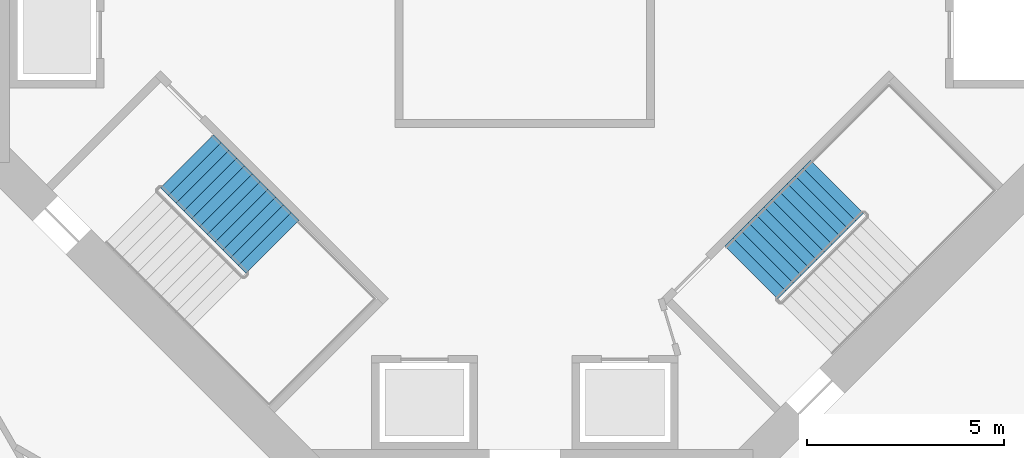
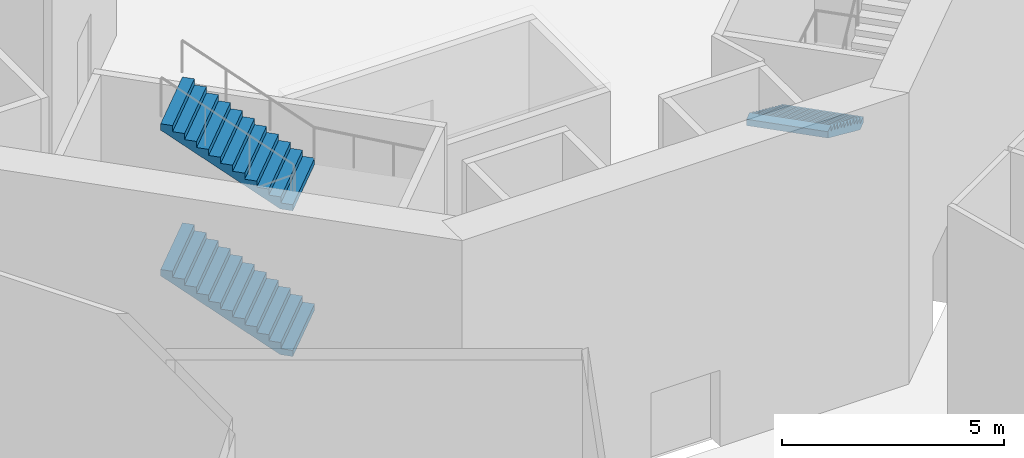
# One storey, part 15 of 30: 3 stair flights, 2 elements without a shape of their own.
"""IFC4 building model written with IfcOpenShell, lengths in metres."""

import ifcopenshell
import ifcopenshell.guid

model = None  # the IFC model being written
_history = None  # IfcOwnerHistory: only IFC2X3 demands one
_inside = {}  # id of a spatial element -> (the spatial element, [elements in it])
_under = {}  # id of a project, library or spatial element -> (it, [spatial elements below it])
_declared = {}  # id of a project -> (the project, [libraries it declares])
_typed = {}  # id of a type object -> (the type object, [elements of that type])
_made_of = {}  # id of a material, layer set ... -> (it, [elements and type objects made of it])


def new_model(schema):
    """Start an empty IFC model of exactly this schema.

    Asked for "IFC4X3", IfcOpenShell would pick the latest addendum, in which some entities
    have other attributes; the version numbers below select the first issue.
    IFC2X3 requires an IfcOwnerHistory on every rooted entity: one is made here for all.
    """
    global model, _history
    if schema == "IFC4X3":
        model = ifcopenshell.file(schema_version=(4, 3, 0, 0))
    else:
        model = ifcopenshell.file(schema=schema)
    _inside.clear()
    _under.clear()
    _declared.clear()
    _typed.clear()
    _made_of.clear()
    _history = None
    if model.schema == "IFC2X3":
        org = make("IfcOrganization", Name="unknown")
        user = make(
            "IfcPersonAndOrganization",
            ThePerson=make("IfcPerson", FamilyName="unknown"),
            TheOrganization=org,
        )
        app = make(
            "IfcApplication",
            ApplicationDeveloper=org,
            Version="unknown",
            ApplicationFullName="unknown",
            ApplicationIdentifier="unknown",
        )
        _history = make(
            "IfcOwnerHistory",
            OwningUser=user,
            OwningApplication=app,
            ChangeAction="ADDED",
            CreationDate=0,
        )
    return model


def make(cls, **values):
    """One entity of the class cls with the attributes given. An attribute that is None is left unset."""
    return model.create_entity(
        cls, **{name: value for name, value in values.items() if value is not None}
    )


def rooted(cls, **values):
    """An entity with a GlobalId (a new one), such as an element, a storey or a relation."""
    return make(cls, GlobalId=ifcopenshell.guid.new(), OwnerHistory=_history, **values)


def si_unit(unit_type, name, prefix=None):
    """IfcSIUnit, for example si_unit("LENGTHUNIT", "METRE", prefix="MILLI")."""
    return make("IfcSIUnit", UnitType=unit_type, Prefix=prefix, Name=name)


def assignment(units):
    """IfcUnitAssignment: the units of a project."""
    return None if units is None else make("IfcUnitAssignment", Units=units)


def point(xyz):
    """IfcCartesianPoint."""
    return None if xyz is None else make("IfcCartesianPoint", Coordinates=xyz)


def direction(xyz):
    """IfcDirection."""
    return None if xyz is None else make("IfcDirection", DirectionRatios=xyz)


def frame(location, z_axis=None, x_axis=None):
    """IfcAxis2Placement3D, a coordinate frame: its origin and axes. An axis left out is left unset."""
    return make(
        "IfcAxis2Placement3D",
        Location=point(location),
        Axis=direction(z_axis),
        RefDirection=direction(x_axis),
    )


def origin():
    """The frame at (0, 0, 0) with its axes left unset."""
    return frame((0.0, 0.0, 0.0))


def place(relative_to, where):
    """IfcLocalPlacement: puts the frame where relative to a parent placement (None: the world)."""
    return make(
        "IfcLocalPlacement", PlacementRelTo=relative_to, RelativePlacement=where
    )


def context(
    kind, dimensions, precision=None, world=None, true_north=None, identifier=None
):
    """IfcGeometricRepresentationContext, for example the 3D "Model" context."""
    return make(
        "IfcGeometricRepresentationContext",
        ContextIdentifier=identifier,
        ContextType=kind,
        CoordinateSpaceDimension=dimensions,
        Precision=precision,
        WorldCoordinateSystem=world,
        TrueNorth=true_north,
    )


def subcontext(parent, identifier, kind, view, scale=None):
    """IfcGeometricRepresentationSubContext, for example "Body" below "Model"."""
    return make(
        "IfcGeometricRepresentationSubContext",
        ContextIdentifier=identifier,
        ContextType=kind,
        ParentContext=parent,
        TargetScale=scale,
        TargetView=view,
    )


def project(units=None, contexts=None):
    """IfcProject with its units and contexts."""
    return rooted(
        "IfcProject",
        Name="project",
        RepresentationContexts=contexts,
        UnitsInContext=assignment(units),
    )


def spatial(cls, under=None, at=None, **own):
    """A site, building, storey or space (cls), placed at a placement, below another one or the project."""
    s = rooted(cls, ObjectPlacement=at, **own)
    if under is not None:
        _under.setdefault(under.id(), (under, []))[1].append(s)
    return s


def point_list(points):
    """IfcCartesianPointList2D or 3D."""
    cls = (
        "IfcCartesianPointList2D" if len(points[0]) == 2 else "IfcCartesianPointList3D"
    )
    return make(cls, CoordList=points)


def triangles(points, corners, closed=None, point_numbers=None):
    """IfcTriangulatedFaceSet: each triangle names its three corners, points numbered from 1."""
    return make(
        "IfcTriangulatedFaceSet",
        Coordinates=point_list(points),
        Closed=closed,
        CoordIndex=corners,
        PnIndex=point_numbers,
    )


def shape(context_of_items, identifier, shape_type, items):
    """IfcShapeRepresentation: the items that make up one representation, for example the "Body"."""
    return make(
        "IfcShapeRepresentation",
        ContextOfItems=context_of_items,
        RepresentationIdentifier=identifier,
        RepresentationType=shape_type,
        Items=items,
    )


def material(Name=None, Category=None):
    """IfcMaterial."""
    return make("IfcMaterial", Name=Name, Category=Category)


def made_of(thing, what):
    """Note that an element or type object is made of a material, layer set ...; save() writes the relation."""
    if what is not None:
        _made_of.setdefault(what.id(), (what, []))[1].append(thing)
    return thing


def type_object(cls, material=None, **own):
    """A type object (cls), such as IfcWallType, which elements share."""
    return made_of(rooted(cls, **own), material)


def element(
    cls,
    number,
    at=None,
    inside=None,
    cuts=None,
    type_object=None,
    material=None,
    context=None,
    identifier="Body",
    shape_type=None,
    held_by="IfcProductDefinitionShape",
    body=None,
    shapes=None,
    **own,
):
    """One element of the class cls, such as IfcWall. Its Tag is "e" and its number.

    at: its placement. inside: the storey or other place that contains it. cuts: it is an
    opening in that element (IfcRelVoidsElement). A single representation is given by context,
    identifier, shape_type and body (its items); several are given by shapes. held_by: the class
    of the entity that holds the representations. save() writes the other relations.
    """
    e = rooted(cls, Tag="e%d" % number, ObjectPlacement=at, **own)
    if body is not None:
        shapes = [shape(context, identifier, shape_type, body)]
    if shapes is not None:
        e.Representation = make(held_by, Representations=shapes)
    if inside is not None:
        _inside.setdefault(inside.id(), (inside, []))[1].append(e)
    if cuts is not None:
        rooted(
            "IfcRelVoidsElement", RelatingBuildingElement=cuts, RelatedOpeningElement=e
        )
    if type_object is not None:
        _typed.setdefault(type_object.id(), (type_object, []))[1].append(e)
    return made_of(e, material)


def aggregate(whole, parts):
    """IfcRelAggregates: a whole, such as a stair, and the parts it consists of."""
    return rooted("IfcRelAggregates", RelatingObject=whole, RelatedObjects=parts)


def save(model, path):
    """Write the relations noted so far, then the file.

    IfcRelAggregates (storeys below a building ...), IfcRelContainedInSpatialStructure (elements
    in a storey), IfcRelDefinesByType, IfcRelAssociatesMaterial and IfcRelDeclares: one each for
    every whole, place, type object, material and project.
    """
    for whole, parts in _under.values():
        aggregate(whole, parts)
    for where, things in _inside.values():
        rooted(
            "IfcRelContainedInSpatialStructure",
            RelatedElements=things,
            RelatingStructure=where,
        )
    for kind, things in _typed.values():
        rooted("IfcRelDefinesByType", RelatedObjects=things, RelatingType=kind)
    for what, things in _made_of.values():
        rooted("IfcRelAssociatesMaterial", RelatedObjects=things, RelatingMaterial=what)
    for by, libraries in _declared.values():
        rooted("IfcRelDeclares", RelatingContext=by, RelatedDefinitions=libraries)
    model.write(path)


model = new_model("IFC4")

# Units and contexts
model_context = context("Model", 3, precision=1e-05, world=origin(), true_north=direction((0.0, 1.0)))
body_context = subcontext(model_context, "Body", "Model", "MODEL_VIEW")
ifc_project = project(units=[si_unit("LENGTHUNIT", "METRE"), si_unit("AREAUNIT", "SQUARE_METRE"), si_unit("VOLUMEUNIT", "CUBIC_METRE"), si_unit("PLANEANGLEUNIT", "RADIAN"), si_unit("MASSUNIT", "GRAM", prefix="KILO")], contexts=[model_context])

# Site, building, storey
site_placement = place(None, origin())
site = spatial("IfcSite", under=ifc_project, at=site_placement, CompositionType="ELEMENT")
building_placement = place(site_placement, origin())
building = spatial("IfcBuilding", under=site, at=building_placement, Name="Verdalira Terraces Hotel", CompositionType="ELEMENT")
storey_placement = place(building_placement, origin())
storey = spatial("IfcBuildingStorey", under=building, at=storey_placement, Name="L00", CompositionType="ELEMENT", Elevation=0.0)

# Stair, stair flights
ifc_material_1 = material(Name="Concrete C40", Category="concrete")
stair_type = type_object("IfcStairType", Name="Core stair 48 risers 1900 mm wide", PredefinedType="HALF_TURN_STAIR", material=ifc_material_1)
stair_1_placement = place(storey_placement, origin())
stair_1 = element("IfcStair", 1, at=stair_1_placement, inside=storey, type_object=stair_type, Name="L00 Exit stair ST2", PredefinedType="HALF_TURN_STAIR")
ifc_material_2 = material(Name="Concrete C40", Category="concrete")
stair_flight_type = type_object("IfcStairFlightType", Name="Core stair flight 48 risers 1900 mm wide", PredefinedType="STRAIGHT", material=ifc_material_2)
stair_flight_1_placement = place(storey_placement, frame((-6.413574, -7.940918, 2.0), z_axis=(0.0, 0.0, 1.0), x_axis=(-0.707106781, 0.707106781, 0.0)))
stair_flight_1 = element("IfcStairFlight", 2, at=stair_flight_1_placement, type_object=stair_flight_type, Name="ST2 flight 2", NumberOfRisers=12, NumberOfTreads=11, PredefinedType="STRAIGHT", RiserHeight=0.166666667, TreadLength=0.28, context=body_context, shape_type="Tessellation", body=[
    triangles([(0.0, 0.949951, 0.0), (0.292969, 0.949951, 0.0), (3.080078, 0.949951, 1.658936), (0.0, -0.949951, 0.0), (0.292969, -0.949951, 0.0), (3.080078, -0.949951, 1.658936), (3.080078, 0.949951, 1.833252), (2.800049, 0.949951, 1.833252), (3.080078, -0.949951, 1.833252), (2.800049, -0.949951, 1.833252), (2.800049, 0.949951, 1.666748), (2.800049, -0.949951, 1.666748), (2.52002, 0.949951, 1.666748), (2.52002, -0.949951, 1.666748), (2.52002, 0.949951, 1.5), (2.52002, -0.949951, 1.5), (2.23999, 0.949951, 1.5), (2.23999, 0.949951, 1.333252), (2.23999, -0.949951, 1.5), (2.23999, -0.949951, 1.333252), (1.959961, 0.949951, 1.333252), (1.959961, 0.949951, 1.166748), (1.959961, -0.949951, 1.333252), (1.959961, -0.949951, 1.166748), (1.679932, 0.949951, 1.166748), (1.679932, 0.949951, 1.0), (1.679932, -0.949951, 1.166748), (1.679932, -0.949951, 1.0), (1.399902, 0.949951, 1.0), (1.399902, 0.949951, 0.833252), (1.399902, -0.949951, 1.0), (1.399902, -0.949951, 0.833252), (1.120117, 0.949951, 0.833252), (1.120117, 0.949951, 0.666748), (1.120117, -0.949951, 0.833252), (1.120117, -0.949951, 0.666748), (0.840088, 0.949951, 0.666748), (0.840088, 0.949951, 0.5), (0.840088, -0.949951, 0.666748), (0.840088, -0.949951, 0.5), (0.560059, 0.949951, 0.5), (0.560059, 0.949951, 0.333252), (0.560059, -0.949951, 0.5), (0.560059, -0.949951, 0.333252), (0.280029, 0.949951, 0.333252), (0.280029, 0.949951, 0.166748), (0.280029, -0.949951, 0.333252), (0.280029, -0.949951, 0.166748), (0.0, 0.949951, 0.166748), (0.0, -0.949951, 0.166748), (0.0, -0.890579, 0.0), (0.0, -0.890579, 0.166748), (0.0, -0.831207, 0.0), (0.0, -0.831207, 0.166748), (0.0, -0.771835, 0.0), (0.0, -0.771835, 0.166748), (0.0, -0.712463, 0.0), (0.0, -0.712463, 0.166748), (0.0, -0.653091, 0.0), (0.0, -0.653091, 0.166748), (0.0, -0.593719, 0.0), (0.0, -0.593719, 0.166748), (0.0, -0.534348, 0.0), (0.0, -0.534348, 0.166748), (0.0, -0.474976, 0.0), (0.0, -0.474976, 0.166748), (0.0, -0.415604, 0.0), (0.0, -0.415604, 0.166748), (0.0, -0.356232, 0.0), (0.0, -0.356232, 0.166748), (0.0, -0.29686, 0.0), (0.0, -0.29686, 0.166748), (0.0, -0.237488, 0.0), (0.0, -0.237488, 0.166748), (0.0, -0.178116, 0.0), (0.0, -0.178116, 0.166748), (0.0, -0.118744, 0.0), (0.0, -0.118744, 0.166748), (0.0, -0.059372, 0.0), (0.0, -0.059372, 0.166748), (0.0, 0.0, 0.0), (0.0, 0.0, 0.166748), (0.0, 0.059372, 0.0), (0.0, 0.059372, 0.166748), (0.0, 0.118744, 0.0), (0.0, 0.118744, 0.166748), (0.0, 0.178116, 0.0), (0.0, 0.178116, 0.166748), (0.0, 0.237488, 0.0), (0.0, 0.237488, 0.166748), (0.0, 0.29686, 0.0), (0.0, 0.29686, 0.166748), (0.0, 0.356232, 0.0), (0.0, 0.356232, 0.166748), (0.0, 0.415604, 0.0), (0.0, 0.415604, 0.166748), (0.0, 0.474976, 0.0), (0.0, 0.474976, 0.166748), (0.0, 0.534348, 0.0), (0.0, 0.534348, 0.166748), (0.0, 0.593719, 0.0), (0.0, 0.593719, 0.166748), (0.0, 0.653091, 0.0), (0.0, 0.653091, 0.166748), (0.0, 0.712463, 0.0), (0.0, 0.712463, 0.166748), (0.0, 0.771835, 0.0), (0.0, 0.771835, 0.166748), (0.0, 0.831207, 0.0), (0.0, 0.831207, 0.166748), (0.0, 0.890579, 0.0), (0.0, 0.890579, 0.166748), (3.080078, -0.890579, 1.833252), (3.080078, -0.831207, 1.833252), (3.080078, -0.771835, 1.833252), (3.080078, -0.712463, 1.833252), (3.080078, -0.653091, 1.833252), (3.080078, -0.593719, 1.833252), (3.080078, -0.534348, 1.833252), (3.080078, -0.474976, 1.833252), (3.080078, -0.415604, 1.833252), (3.080078, -0.356232, 1.833252), (3.080078, -0.29686, 1.833252), (3.080078, -0.237488, 1.833252), (3.080078, -0.178116, 1.833252), (3.080078, -0.118744, 1.833252), (3.080078, -0.059372, 1.833252), (3.080078, 0.0, 1.833252), (3.080078, 0.059372, 1.833252), (3.080078, 0.118744, 1.833252), (3.080078, 0.178116, 1.833252), (3.080078, 0.237488, 1.833252), (3.080078, 0.29686, 1.833252), (3.080078, 0.356232, 1.833252), (3.080078, 0.415604, 1.833252), (3.080078, 0.474976, 1.833252), (3.080078, 0.534348, 1.833252), (3.080078, 0.593719, 1.833252), (3.080078, 0.653091, 1.833252), (3.080078, 0.712463, 1.833252), (3.080078, 0.771835, 1.833252), (3.080078, 0.831207, 1.833252), (3.080078, 0.890579, 1.833252), (3.080078, -0.890579, 1.658936), (3.080078, -0.831207, 1.658936), (3.080078, -0.771835, 1.658936), (3.080078, -0.712463, 1.658936), (3.080078, -0.653091, 1.658936), (3.080078, -0.593719, 1.658936), (3.080078, -0.534348, 1.658936), (3.080078, -0.474976, 1.658936), (3.080078, -0.415604, 1.658936), (3.080078, -0.356232, 1.658936), (3.080078, -0.29686, 1.658936), (3.080078, -0.237488, 1.658936), (3.080078, -0.178116, 1.658936), (3.080078, -0.118744, 1.658936), (3.080078, -0.059372, 1.658936), (3.080078, 0.0, 1.658936), (3.080078, 0.059372, 1.658936), (3.080078, 0.118744, 1.658936), (3.080078, 0.178116, 1.658936), (3.080078, 0.237488, 1.658936), (3.080078, 0.29686, 1.658936), (3.080078, 0.356232, 1.658936), (3.080078, 0.415604, 1.658936), (3.080078, 0.474976, 1.658936), (3.080078, 0.534348, 1.658936), (3.080078, 0.593719, 1.658936), (3.080078, 0.653091, 1.658936), (3.080078, 0.712463, 1.658936), (3.080078, 0.771835, 1.658936), (3.080078, 0.831207, 1.658936), (3.080078, 0.890579, 1.658936)], [[1, 3, 2], [4, 5, 6], [3, 8, 7], [6, 9, 10], [3, 11, 8], [6, 10, 12], [3, 13, 11], [6, 12, 14], [3, 15, 13], [6, 14, 16], [15, 18, 17], [16, 19, 20], [3, 18, 15], [6, 16, 20], [18, 22, 21], [20, 23, 24], [3, 22, 18], [6, 20, 24], [22, 26, 25], [24, 27, 28], [3, 26, 22], [6, 24, 28], [26, 30, 29], [28, 31, 32], [3, 30, 26], [6, 28, 32], [30, 34, 33], [32, 35, 36], [3, 34, 30], [6, 32, 36], [34, 38, 37], [36, 39, 40], [3, 38, 34], [6, 36, 40], [38, 42, 41], [40, 43, 44], [3, 42, 38], [6, 40, 44], [1, 42, 3], [4, 6, 44], [42, 46, 45], [44, 47, 48], [1, 46, 42], [4, 44, 48], [46, 1, 49], [48, 50, 4], [4, 52, 51], [4, 50, 52], [51, 54, 53], [51, 52, 54], [53, 56, 55], [53, 54, 56], [55, 58, 57], [55, 56, 58], [57, 60, 59], [57, 58, 60], [59, 62, 61], [59, 60, 62], [61, 64, 63], [61, 62, 64], [63, 66, 65], [63, 64, 66], [65, 68, 67], [65, 66, 68], [67, 70, 69], [67, 68, 70], [69, 72, 71], [69, 70, 72], [71, 74, 73], [71, 72, 74], [73, 76, 75], [73, 74, 76], [75, 78, 77], [75, 76, 78], [77, 80, 79], [77, 78, 80], [79, 82, 81], [79, 80, 82], [81, 84, 83], [81, 82, 84], [83, 86, 85], [83, 84, 86], [85, 88, 87], [85, 86, 88], [87, 90, 89], [87, 88, 90], [89, 92, 91], [89, 90, 92], [91, 94, 93], [91, 92, 94], [93, 96, 95], [93, 94, 96], [95, 98, 97], [95, 96, 98], [97, 100, 99], [97, 98, 100], [99, 102, 101], [99, 100, 102], [101, 104, 103], [101, 102, 104], [103, 106, 105], [103, 104, 106], [105, 108, 107], [105, 106, 108], [107, 110, 109], [107, 108, 110], [109, 112, 111], [109, 110, 112], [111, 49, 1], [111, 112, 49], [50, 48, 52], [52, 48, 54], [54, 48, 56], [56, 48, 58], [58, 48, 60], [60, 48, 62], [62, 48, 64], [64, 48, 66], [66, 48, 68], [68, 48, 70], [70, 48, 72], [72, 48, 74], [74, 48, 76], [76, 48, 78], [78, 48, 80], [80, 48, 82], [82, 48, 84], [84, 48, 86], [86, 48, 88], [88, 48, 90], [90, 48, 92], [92, 48, 94], [94, 48, 96], [96, 48, 98], [98, 48, 100], [100, 48, 102], [102, 48, 104], [104, 48, 106], [106, 48, 108], [108, 48, 110], [110, 48, 112], [112, 48, 49], [49, 48, 46], [48, 45, 46], [48, 47, 45], [47, 42, 45], [47, 44, 42], [44, 41, 42], [44, 43, 41], [43, 38, 41], [43, 40, 38], [40, 37, 38], [40, 39, 37], [39, 34, 37], [39, 36, 34], [36, 33, 34], [36, 35, 33], [35, 30, 33], [35, 32, 30], [32, 29, 30], [32, 31, 29], [31, 26, 29], [31, 28, 26], [28, 25, 26], [28, 27, 25], [27, 22, 25], [27, 24, 22], [24, 21, 22], [24, 23, 21], [23, 18, 21], [23, 20, 18], [20, 17, 18], [20, 19, 17], [19, 15, 17], [19, 16, 15], [16, 13, 15], [16, 14, 13], [14, 11, 13], [14, 12, 11], [12, 8, 11], [12, 10, 8], [9, 113, 10], [113, 114, 10], [114, 115, 10], [115, 116, 10], [116, 117, 10], [117, 118, 10], [118, 119, 10], [119, 120, 10], [120, 121, 10], [121, 122, 10], [122, 123, 10], [123, 124, 10], [124, 125, 10], [125, 126, 10], [126, 127, 10], [127, 128, 10], [128, 129, 10], [129, 130, 10], [130, 131, 10], [131, 132, 10], [132, 133, 10], [133, 134, 10], [134, 135, 10], [135, 136, 10], [136, 137, 10], [137, 138, 10], [138, 139, 10], [139, 140, 10], [140, 141, 10], [141, 142, 10], [142, 143, 10], [143, 7, 10], [7, 8, 10], [9, 144, 113], [9, 6, 144], [113, 145, 114], [113, 144, 145], [114, 146, 115], [114, 145, 146], [115, 147, 116], [115, 146, 147], [116, 148, 117], [116, 147, 148], [117, 149, 118], [117, 148, 149], [118, 150, 119], [118, 149, 150], [119, 151, 120], [119, 150, 151], [120, 152, 121], [120, 151, 152], [121, 153, 122], [121, 152, 153], [122, 154, 123], [122, 153, 154], [123, 155, 124], [123, 154, 155], [124, 156, 125], [124, 155, 156], [125, 157, 126], [125, 156, 157], [126, 158, 127], [126, 157, 158], [127, 159, 128], [127, 158, 159], [128, 160, 129], [128, 159, 160], [129, 161, 130], [129, 160, 161], [130, 162, 131], [130, 161, 162], [131, 163, 132], [131, 162, 163], [132, 164, 133], [132, 163, 164], [133, 165, 134], [133, 164, 165], [134, 166, 135], [134, 165, 166], [135, 167, 136], [135, 166, 167], [136, 168, 137], [136, 167, 168], [137, 169, 138], [137, 168, 169], [138, 170, 139], [138, 169, 170], [139, 171, 140], [139, 170, 171], [140, 172, 141], [140, 171, 172], [141, 173, 142], [141, 172, 173], [142, 174, 143], [142, 173, 174], [143, 3, 7], [143, 174, 3], [6, 5, 144], [144, 5, 145], [145, 5, 146], [146, 5, 147], [147, 5, 148], [148, 5, 149], [149, 5, 150], [150, 5, 151], [151, 5, 152], [152, 5, 153], [153, 5, 154], [154, 5, 155], [155, 5, 156], [156, 5, 157], [157, 5, 158], [158, 5, 159], [159, 5, 160], [160, 5, 161], [161, 5, 162], [162, 5, 163], [163, 5, 164], [164, 5, 165], [165, 5, 166], [166, 5, 167], [167, 5, 168], [168, 5, 169], [169, 5, 170], [170, 5, 171], [171, 5, 172], [172, 5, 173], [173, 5, 174], [174, 5, 3], [3, 5, 2], [4, 51, 5], [51, 53, 5], [53, 55, 5], [55, 57, 5], [57, 59, 5], [59, 61, 5], [61, 63, 5], [63, 65, 5], [65, 67, 5], [67, 69, 5], [69, 71, 5], [71, 73, 5], [73, 75, 5], [75, 77, 5], [77, 79, 5], [79, 81, 5], [81, 83, 5], [83, 85, 5], [85, 87, 5], [87, 89, 5], [89, 91, 5], [91, 93, 5], [93, 95, 5], [95, 97, 5], [97, 99, 5], [99, 101, 5], [101, 103, 5], [103, 105, 5], [105, 107, 5], [107, 109, 5], [109, 111, 5], [111, 1, 5], [1, 2, 5]], closed=True),
])
stair_flight_2_placement = place(storey_placement, frame((-6.413574, -7.940918, 6.0), z_axis=(0.0, 0.0, 1.0), x_axis=(-0.707106781, 0.707106781, 0.0)))
stair_flight_2 = element("IfcStairFlight", 3, at=stair_flight_2_placement, type_object=stair_flight_type, Name="ST2 flight 4", NumberOfRisers=12, NumberOfTreads=11, PredefinedType="STRAIGHT", RiserHeight=0.166666667, TreadLength=0.28, context=body_context, shape_type="Tessellation", body=[
    triangles([(0.0, 0.949951, 0.0), (0.292969, 0.949951, 0.0), (3.080078, 0.949951, 1.658936), (0.0, -0.949951, 0.0), (0.292969, -0.949951, 0.0), (3.080078, -0.949951, 1.658936), (3.080078, 0.949951, 1.833252), (2.800049, 0.949951, 1.833252), (3.080078, -0.949951, 1.833252), (2.800049, -0.949951, 1.833252), (2.800049, 0.949951, 1.666748), (2.800049, -0.949951, 1.666748), (2.52002, 0.949951, 1.666748), (2.52002, -0.949951, 1.666748), (2.52002, 0.949951, 1.5), (2.52002, -0.949951, 1.5), (2.23999, 0.949951, 1.5), (2.23999, 0.949951, 1.333252), (2.23999, -0.949951, 1.5), (2.23999, -0.949951, 1.333252), (1.959961, 0.949951, 1.333252), (1.959961, 0.949951, 1.166748), (1.959961, -0.949951, 1.333252), (1.959961, -0.949951, 1.166748), (1.679932, 0.949951, 1.166748), (1.679932, 0.949951, 1.0), (1.679932, -0.949951, 1.166748), (1.679932, -0.949951, 1.0), (1.399902, 0.949951, 1.0), (1.399902, 0.949951, 0.833252), (1.399902, -0.949951, 1.0), (1.399902, -0.949951, 0.833252), (1.120117, 0.949951, 0.833252), (1.120117, 0.949951, 0.666748), (1.120117, -0.949951, 0.833252), (1.120117, -0.949951, 0.666748), (0.840088, 0.949951, 0.666748), (0.840088, 0.949951, 0.5), (0.840088, -0.949951, 0.666748), (0.840088, -0.949951, 0.5), (0.560059, 0.949951, 0.5), (0.560059, 0.949951, 0.333252), (0.560059, -0.949951, 0.5), (0.560059, -0.949951, 0.333252), (0.280029, 0.949951, 0.333252), (0.280029, 0.949951, 0.166748), (0.280029, -0.949951, 0.333252), (0.280029, -0.949951, 0.166748), (0.0, 0.949951, 0.166748), (0.0, -0.949951, 0.166748), (0.0, -0.890579, 0.0), (0.0, -0.890579, 0.166748), (0.0, -0.831207, 0.0), (0.0, -0.831207, 0.166748), (0.0, -0.771835, 0.0), (0.0, -0.771835, 0.166748), (0.0, -0.712463, 0.0), (0.0, -0.712463, 0.166748), (0.0, -0.653091, 0.0), (0.0, -0.653091, 0.166748), (0.0, -0.593719, 0.0), (0.0, -0.593719, 0.166748), (0.0, -0.534348, 0.0), (0.0, -0.534348, 0.166748), (0.0, -0.474976, 0.0), (0.0, -0.474976, 0.166748), (0.0, -0.415604, 0.0), (0.0, -0.415604, 0.166748), (0.0, -0.356232, 0.0), (0.0, -0.356232, 0.166748), (0.0, -0.29686, 0.0), (0.0, -0.29686, 0.166748), (0.0, -0.237488, 0.0), (0.0, -0.237488, 0.166748), (0.0, -0.178116, 0.0), (0.0, -0.178116, 0.166748), (0.0, -0.118744, 0.0), (0.0, -0.118744, 0.166748), (0.0, -0.059372, 0.0), (0.0, -0.059372, 0.166748), (0.0, 0.0, 0.0), (0.0, 0.0, 0.166748), (0.0, 0.059372, 0.0), (0.0, 0.059372, 0.166748), (0.0, 0.118744, 0.0), (0.0, 0.118744, 0.166748), (0.0, 0.178116, 0.0), (0.0, 0.178116, 0.166748), (0.0, 0.237488, 0.0), (0.0, 0.237488, 0.166748), (0.0, 0.29686, 0.0), (0.0, 0.29686, 0.166748), (0.0, 0.356232, 0.0), (0.0, 0.356232, 0.166748), (0.0, 0.415604, 0.0), (0.0, 0.415604, 0.166748), (0.0, 0.474976, 0.0), (0.0, 0.474976, 0.166748), (0.0, 0.534348, 0.0), (0.0, 0.534348, 0.166748), (0.0, 0.593719, 0.0), (0.0, 0.593719, 0.166748), (0.0, 0.653091, 0.0), (0.0, 0.653091, 0.166748), (0.0, 0.712463, 0.0), (0.0, 0.712463, 0.166748), (0.0, 0.771835, 0.0), (0.0, 0.771835, 0.166748), (0.0, 0.831207, 0.0), (0.0, 0.831207, 0.166748), (0.0, 0.890579, 0.0), (0.0, 0.890579, 0.166748), (3.080078, -0.890579, 1.833252), (3.080078, -0.831207, 1.833252), (3.080078, -0.771835, 1.833252), (3.080078, -0.712463, 1.833252), (3.080078, -0.653091, 1.833252), (3.080078, -0.593719, 1.833252), (3.080078, -0.534348, 1.833252), (3.080078, -0.474976, 1.833252), (3.080078, -0.415604, 1.833252), (3.080078, -0.356232, 1.833252), (3.080078, -0.29686, 1.833252), (3.080078, -0.237488, 1.833252), (3.080078, -0.178116, 1.833252), (3.080078, -0.118744, 1.833252), (3.080078, -0.059372, 1.833252), (3.080078, 0.0, 1.833252), (3.080078, 0.059372, 1.833252), (3.080078, 0.118744, 1.833252), (3.080078, 0.178116, 1.833252), (3.080078, 0.237488, 1.833252), (3.080078, 0.29686, 1.833252), (3.080078, 0.356232, 1.833252), (3.080078, 0.415604, 1.833252), (3.080078, 0.474976, 1.833252), (3.080078, 0.534348, 1.833252), (3.080078, 0.593719, 1.833252), (3.080078, 0.653091, 1.833252), (3.080078, 0.712463, 1.833252), (3.080078, 0.771835, 1.833252), (3.080078, 0.831207, 1.833252), (3.080078, 0.890579, 1.833252), (3.080078, -0.890579, 1.658936), (3.080078, -0.831207, 1.658936), (3.080078, -0.771835, 1.658936), (3.080078, -0.712463, 1.658936), (3.080078, -0.653091, 1.658936), (3.080078, -0.593719, 1.658936), (3.080078, -0.534348, 1.658936), (3.080078, -0.474976, 1.658936), (3.080078, -0.415604, 1.658936), (3.080078, -0.356232, 1.658936), (3.080078, -0.29686, 1.658936), (3.080078, -0.237488, 1.658936), (3.080078, -0.178116, 1.658936), (3.080078, -0.118744, 1.658936), (3.080078, -0.059372, 1.658936), (3.080078, 0.0, 1.658936), (3.080078, 0.059372, 1.658936), (3.080078, 0.118744, 1.658936), (3.080078, 0.178116, 1.658936), (3.080078, 0.237488, 1.658936), (3.080078, 0.29686, 1.658936), (3.080078, 0.356232, 1.658936), (3.080078, 0.415604, 1.658936), (3.080078, 0.474976, 1.658936), (3.080078, 0.534348, 1.658936), (3.080078, 0.593719, 1.658936), (3.080078, 0.653091, 1.658936), (3.080078, 0.712463, 1.658936), (3.080078, 0.771835, 1.658936), (3.080078, 0.831207, 1.658936), (3.080078, 0.890579, 1.658936)], [[1, 3, 2], [4, 5, 6], [3, 8, 7], [6, 9, 10], [3, 11, 8], [6, 10, 12], [3, 13, 11], [6, 12, 14], [3, 15, 13], [6, 14, 16], [15, 18, 17], [16, 19, 20], [3, 18, 15], [6, 16, 20], [18, 22, 21], [20, 23, 24], [3, 22, 18], [6, 20, 24], [22, 26, 25], [24, 27, 28], [3, 26, 22], [6, 24, 28], [26, 30, 29], [28, 31, 32], [3, 30, 26], [6, 28, 32], [30, 34, 33], [32, 35, 36], [3, 34, 30], [6, 32, 36], [34, 38, 37], [36, 39, 40], [3, 38, 34], [6, 36, 40], [38, 42, 41], [40, 43, 44], [3, 42, 38], [6, 40, 44], [1, 42, 3], [4, 6, 44], [42, 46, 45], [44, 47, 48], [1, 46, 42], [4, 44, 48], [46, 1, 49], [48, 50, 4], [4, 52, 51], [4, 50, 52], [51, 54, 53], [51, 52, 54], [53, 56, 55], [53, 54, 56], [55, 58, 57], [55, 56, 58], [57, 60, 59], [57, 58, 60], [59, 62, 61], [59, 60, 62], [61, 64, 63], [61, 62, 64], [63, 66, 65], [63, 64, 66], [65, 68, 67], [65, 66, 68], [67, 70, 69], [67, 68, 70], [69, 72, 71], [69, 70, 72], [71, 74, 73], [71, 72, 74], [73, 76, 75], [73, 74, 76], [75, 78, 77], [75, 76, 78], [77, 80, 79], [77, 78, 80], [79, 82, 81], [79, 80, 82], [81, 84, 83], [81, 82, 84], [83, 86, 85], [83, 84, 86], [85, 88, 87], [85, 86, 88], [87, 90, 89], [87, 88, 90], [89, 92, 91], [89, 90, 92], [91, 94, 93], [91, 92, 94], [93, 96, 95], [93, 94, 96], [95, 98, 97], [95, 96, 98], [97, 100, 99], [97, 98, 100], [99, 102, 101], [99, 100, 102], [101, 104, 103], [101, 102, 104], [103, 106, 105], [103, 104, 106], [105, 108, 107], [105, 106, 108], [107, 110, 109], [107, 108, 110], [109, 112, 111], [109, 110, 112], [111, 49, 1], [111, 112, 49], [50, 48, 52], [52, 48, 54], [54, 48, 56], [56, 48, 58], [58, 48, 60], [60, 48, 62], [62, 48, 64], [64, 48, 66], [66, 48, 68], [68, 48, 70], [70, 48, 72], [72, 48, 74], [74, 48, 76], [76, 48, 78], [78, 48, 80], [80, 48, 82], [82, 48, 84], [84, 48, 86], [86, 48, 88], [88, 48, 90], [90, 48, 92], [92, 48, 94], [94, 48, 96], [96, 48, 98], [98, 48, 100], [100, 48, 102], [102, 48, 104], [104, 48, 106], [106, 48, 108], [108, 48, 110], [110, 48, 112], [112, 48, 49], [49, 48, 46], [48, 45, 46], [48, 47, 45], [47, 42, 45], [47, 44, 42], [44, 41, 42], [44, 43, 41], [43, 38, 41], [43, 40, 38], [40, 37, 38], [40, 39, 37], [39, 34, 37], [39, 36, 34], [36, 33, 34], [36, 35, 33], [35, 30, 33], [35, 32, 30], [32, 29, 30], [32, 31, 29], [31, 26, 29], [31, 28, 26], [28, 25, 26], [28, 27, 25], [27, 22, 25], [27, 24, 22], [24, 21, 22], [24, 23, 21], [23, 18, 21], [23, 20, 18], [20, 17, 18], [20, 19, 17], [19, 15, 17], [19, 16, 15], [16, 13, 15], [16, 14, 13], [14, 11, 13], [14, 12, 11], [12, 8, 11], [12, 10, 8], [9, 113, 10], [113, 114, 10], [114, 115, 10], [115, 116, 10], [116, 117, 10], [117, 118, 10], [118, 119, 10], [119, 120, 10], [120, 121, 10], [121, 122, 10], [122, 123, 10], [123, 124, 10], [124, 125, 10], [125, 126, 10], [126, 127, 10], [127, 128, 10], [128, 129, 10], [129, 130, 10], [130, 131, 10], [131, 132, 10], [132, 133, 10], [133, 134, 10], [134, 135, 10], [135, 136, 10], [136, 137, 10], [137, 138, 10], [138, 139, 10], [139, 140, 10], [140, 141, 10], [141, 142, 10], [142, 143, 10], [143, 7, 10], [7, 8, 10], [9, 144, 113], [9, 6, 144], [113, 145, 114], [113, 144, 145], [114, 146, 115], [114, 145, 146], [115, 147, 116], [115, 146, 147], [116, 148, 117], [116, 147, 148], [117, 149, 118], [117, 148, 149], [118, 150, 119], [118, 149, 150], [119, 151, 120], [119, 150, 151], [120, 152, 121], [120, 151, 152], [121, 153, 122], [121, 152, 153], [122, 154, 123], [122, 153, 154], [123, 155, 124], [123, 154, 155], [124, 156, 125], [124, 155, 156], [125, 157, 126], [125, 156, 157], [126, 158, 127], [126, 157, 158], [127, 159, 128], [127, 158, 159], [128, 160, 129], [128, 159, 160], [129, 161, 130], [129, 160, 161], [130, 162, 131], [130, 161, 162], [131, 163, 132], [131, 162, 163], [132, 164, 133], [132, 163, 164], [133, 165, 134], [133, 164, 165], [134, 166, 135], [134, 165, 166], [135, 167, 136], [135, 166, 167], [136, 168, 137], [136, 167, 168], [137, 169, 138], [137, 168, 169], [138, 170, 139], [138, 169, 170], [139, 171, 140], [139, 170, 171], [140, 172, 141], [140, 171, 172], [141, 173, 142], [141, 172, 173], [142, 174, 143], [142, 173, 174], [143, 3, 7], [143, 174, 3], [6, 5, 144], [144, 5, 145], [145, 5, 146], [146, 5, 147], [147, 5, 148], [148, 5, 149], [149, 5, 150], [150, 5, 151], [151, 5, 152], [152, 5, 153], [153, 5, 154], [154, 5, 155], [155, 5, 156], [156, 5, 157], [157, 5, 158], [158, 5, 159], [159, 5, 160], [160, 5, 161], [161, 5, 162], [162, 5, 163], [163, 5, 164], [164, 5, 165], [165, 5, 166], [166, 5, 167], [167, 5, 168], [168, 5, 169], [169, 5, 170], [170, 5, 171], [171, 5, 172], [172, 5, 173], [173, 5, 174], [174, 5, 3], [3, 5, 2], [4, 51, 5], [51, 53, 5], [53, 55, 5], [55, 57, 5], [57, 59, 5], [59, 61, 5], [61, 63, 5], [63, 65, 5], [65, 67, 5], [67, 69, 5], [69, 71, 5], [71, 73, 5], [73, 75, 5], [75, 77, 5], [77, 79, 5], [79, 81, 5], [81, 83, 5], [83, 85, 5], [85, 87, 5], [87, 89, 5], [89, 91, 5], [91, 93, 5], [93, 95, 5], [95, 97, 5], [97, 99, 5], [99, 101, 5], [101, 103, 5], [103, 105, 5], [105, 107, 5], [107, 109, 5], [109, 111, 5], [111, 1, 5], [1, 2, 5]], closed=True),
])
aggregate(stair_1, [stair_flight_1, stair_flight_2])

# Stair, stair flight
stair_2_placement = place(storey_placement, origin())
stair_2 = element("IfcStair", 4, at=stair_2_placement, inside=storey, type_object=stair_type, Name="L00 Exit stair ST3", PredefinedType="HALF_TURN_STAIR")
stair_flight_3_placement = place(storey_placement, frame((7.940918, -6.413574, 2.0), z_axis=(0.0, 0.0, 1.0), x_axis=(-0.707106781, -0.707106781, 0.0)))
stair_flight_3 = element("IfcStairFlight", 5, at=stair_flight_3_placement, type_object=stair_flight_type, Name="ST3 flight 2", NumberOfRisers=12, NumberOfTreads=11, PredefinedType="STRAIGHT", RiserHeight=0.166666667, TreadLength=0.28, context=body_context, shape_type="Tessellation", body=[
    triangles([(0.0, 0.949951, 0.0), (0.292969, 0.949951, 0.0), (3.080078, 0.949951, 1.658936), (0.0, -0.949951, 0.0), (0.292969, -0.949951, 0.0), (3.080078, -0.949951, 1.658936), (3.080078, 0.949951, 1.833252), (2.800049, 0.949951, 1.833252), (3.080078, -0.949951, 1.833252), (2.800049, -0.949951, 1.833252), (2.800049, 0.949951, 1.666748), (2.800049, -0.949951, 1.666748), (2.52002, 0.949951, 1.666748), (2.52002, -0.949951, 1.666748), (2.52002, 0.949951, 1.5), (2.52002, -0.949951, 1.5), (2.23999, 0.949951, 1.5), (2.23999, 0.949951, 1.333252), (2.23999, -0.949951, 1.5), (2.23999, -0.949951, 1.333252), (1.959961, 0.949951, 1.333252), (1.959961, 0.949951, 1.166748), (1.959961, -0.949951, 1.333252), (1.959961, -0.949951, 1.166748), (1.679932, 0.949951, 1.166748), (1.679932, 0.949951, 1.0), (1.679932, -0.949951, 1.166748), (1.679932, -0.949951, 1.0), (1.399902, 0.949951, 1.0), (1.399902, 0.949951, 0.833252), (1.399902, -0.949951, 1.0), (1.399902, -0.949951, 0.833252), (1.120117, 0.949951, 0.833252), (1.120117, 0.949951, 0.666748), (1.120117, -0.949951, 0.833252), (1.120117, -0.949951, 0.666748), (0.840088, 0.949951, 0.666748), (0.840088, 0.949951, 0.5), (0.840088, -0.949951, 0.666748), (0.840088, -0.949951, 0.5), (0.560059, 0.949951, 0.5), (0.560059, 0.949951, 0.333252), (0.560059, -0.949951, 0.5), (0.560059, -0.949951, 0.333252), (0.280029, 0.949951, 0.333252), (0.280029, 0.949951, 0.166748), (0.280029, -0.949951, 0.333252), (0.280029, -0.949951, 0.166748), (0.0, 0.949951, 0.166748), (0.0, -0.949951, 0.166748), (0.0, -0.890579, 0.0), (0.0, -0.890579, 0.166748), (0.0, -0.831207, 0.0), (0.0, -0.831207, 0.166748), (0.0, -0.771835, 0.0), (0.0, -0.771835, 0.166748), (0.0, -0.712463, 0.0), (0.0, -0.712463, 0.166748), (0.0, -0.653091, 0.0), (0.0, -0.653091, 0.166748), (0.0, -0.593719, 0.0), (0.0, -0.593719, 0.166748), (0.0, -0.534348, 0.0), (0.0, -0.534348, 0.166748), (0.0, -0.474976, 0.0), (0.0, -0.474976, 0.166748), (0.0, -0.415604, 0.0), (0.0, -0.415604, 0.166748), (0.0, -0.356232, 0.0), (0.0, -0.356232, 0.166748), (0.0, -0.29686, 0.0), (0.0, -0.29686, 0.166748), (0.0, -0.237488, 0.0), (0.0, -0.237488, 0.166748), (0.0, -0.178116, 0.0), (0.0, -0.178116, 0.166748), (0.0, -0.118744, 0.0), (0.0, -0.118744, 0.166748), (0.0, -0.059372, 0.0), (0.0, -0.059372, 0.166748), (0.0, 0.0, 0.0), (0.0, 0.0, 0.166748), (0.0, 0.059372, 0.0), (0.0, 0.059372, 0.166748), (0.0, 0.118744, 0.0), (0.0, 0.118744, 0.166748), (0.0, 0.178116, 0.0), (0.0, 0.178116, 0.166748), (0.0, 0.237488, 0.0), (0.0, 0.237488, 0.166748), (0.0, 0.29686, 0.0), (0.0, 0.29686, 0.166748), (0.0, 0.356232, 0.0), (0.0, 0.356232, 0.166748), (0.0, 0.415604, 0.0), (0.0, 0.415604, 0.166748), (0.0, 0.474976, 0.0), (0.0, 0.474976, 0.166748), (0.0, 0.534348, 0.0), (0.0, 0.534348, 0.166748), (0.0, 0.593719, 0.0), (0.0, 0.593719, 0.166748), (0.0, 0.653091, 0.0), (0.0, 0.653091, 0.166748), (0.0, 0.712463, 0.0), (0.0, 0.712463, 0.166748), (0.0, 0.771835, 0.0), (0.0, 0.771835, 0.166748), (0.0, 0.831207, 0.0), (0.0, 0.831207, 0.166748), (0.0, 0.890579, 0.0), (0.0, 0.890579, 0.166748), (3.080078, -0.890579, 1.833252), (3.080078, -0.831207, 1.833252), (3.080078, -0.771835, 1.833252), (3.080078, -0.712463, 1.833252), (3.080078, -0.653091, 1.833252), (3.080078, -0.593719, 1.833252), (3.080078, -0.534348, 1.833252), (3.080078, -0.474976, 1.833252), (3.080078, -0.415604, 1.833252), (3.080078, -0.356232, 1.833252), (3.080078, -0.29686, 1.833252), (3.080078, -0.237488, 1.833252), (3.080078, -0.178116, 1.833252), (3.080078, -0.118744, 1.833252), (3.080078, -0.059372, 1.833252), (3.080078, 0.0, 1.833252), (3.080078, 0.059372, 1.833252), (3.080078, 0.118744, 1.833252), (3.080078, 0.178116, 1.833252), (3.080078, 0.237488, 1.833252), (3.080078, 0.29686, 1.833252), (3.080078, 0.356232, 1.833252), (3.080078, 0.415604, 1.833252), (3.080078, 0.474976, 1.833252), (3.080078, 0.534348, 1.833252), (3.080078, 0.593719, 1.833252), (3.080078, 0.653091, 1.833252), (3.080078, 0.712463, 1.833252), (3.080078, 0.771835, 1.833252), (3.080078, 0.831207, 1.833252), (3.080078, 0.890579, 1.833252), (3.080078, -0.890579, 1.658936), (3.080078, -0.831207, 1.658936), (3.080078, -0.771835, 1.658936), (3.080078, -0.712463, 1.658936), (3.080078, -0.653091, 1.658936), (3.080078, -0.593719, 1.658936), (3.080078, -0.534348, 1.658936), (3.080078, -0.474976, 1.658936), (3.080078, -0.415604, 1.658936), (3.080078, -0.356232, 1.658936), (3.080078, -0.29686, 1.658936), (3.080078, -0.237488, 1.658936), (3.080078, -0.178116, 1.658936), (3.080078, -0.118744, 1.658936), (3.080078, -0.059372, 1.658936), (3.080078, 0.0, 1.658936), (3.080078, 0.059372, 1.658936), (3.080078, 0.118744, 1.658936), (3.080078, 0.178116, 1.658936), (3.080078, 0.237488, 1.658936), (3.080078, 0.29686, 1.658936), (3.080078, 0.356232, 1.658936), (3.080078, 0.415604, 1.658936), (3.080078, 0.474976, 1.658936), (3.080078, 0.534348, 1.658936), (3.080078, 0.593719, 1.658936), (3.080078, 0.653091, 1.658936), (3.080078, 0.712463, 1.658936), (3.080078, 0.771835, 1.658936), (3.080078, 0.831207, 1.658936), (3.080078, 0.890579, 1.658936)], [[1, 3, 2], [4, 5, 6], [3, 8, 7], [6, 9, 10], [3, 11, 8], [6, 10, 12], [3, 13, 11], [6, 12, 14], [3, 15, 13], [6, 14, 16], [15, 18, 17], [16, 19, 20], [3, 18, 15], [6, 16, 20], [18, 22, 21], [20, 23, 24], [3, 22, 18], [6, 20, 24], [22, 26, 25], [24, 27, 28], [3, 26, 22], [6, 24, 28], [26, 30, 29], [28, 31, 32], [3, 30, 26], [6, 28, 32], [30, 34, 33], [32, 35, 36], [3, 34, 30], [6, 32, 36], [34, 38, 37], [36, 39, 40], [3, 38, 34], [6, 36, 40], [38, 42, 41], [40, 43, 44], [3, 42, 38], [6, 40, 44], [1, 42, 3], [4, 6, 44], [42, 46, 45], [44, 47, 48], [1, 46, 42], [4, 44, 48], [46, 1, 49], [48, 50, 4], [4, 52, 51], [4, 50, 52], [51, 54, 53], [51, 52, 54], [53, 56, 55], [53, 54, 56], [55, 58, 57], [55, 56, 58], [57, 60, 59], [57, 58, 60], [59, 62, 61], [59, 60, 62], [61, 64, 63], [61, 62, 64], [63, 66, 65], [63, 64, 66], [65, 68, 67], [65, 66, 68], [67, 70, 69], [67, 68, 70], [69, 72, 71], [69, 70, 72], [71, 74, 73], [71, 72, 74], [73, 76, 75], [73, 74, 76], [75, 78, 77], [75, 76, 78], [77, 80, 79], [77, 78, 80], [79, 82, 81], [79, 80, 82], [81, 84, 83], [81, 82, 84], [83, 86, 85], [83, 84, 86], [85, 88, 87], [85, 86, 88], [87, 90, 89], [87, 88, 90], [89, 92, 91], [89, 90, 92], [91, 94, 93], [91, 92, 94], [93, 96, 95], [93, 94, 96], [95, 98, 97], [95, 96, 98], [97, 100, 99], [97, 98, 100], [99, 102, 101], [99, 100, 102], [101, 104, 103], [101, 102, 104], [103, 106, 105], [103, 104, 106], [105, 108, 107], [105, 106, 108], [107, 110, 109], [107, 108, 110], [109, 112, 111], [109, 110, 112], [111, 49, 1], [111, 112, 49], [50, 48, 52], [52, 48, 54], [54, 48, 56], [56, 48, 58], [58, 48, 60], [60, 48, 62], [62, 48, 64], [64, 48, 66], [66, 48, 68], [68, 48, 70], [70, 48, 72], [72, 48, 74], [74, 48, 76], [76, 48, 78], [78, 48, 80], [80, 48, 82], [82, 48, 84], [84, 48, 86], [86, 48, 88], [88, 48, 90], [90, 48, 92], [92, 48, 94], [94, 48, 96], [96, 48, 98], [98, 48, 100], [100, 48, 102], [102, 48, 104], [104, 48, 106], [106, 48, 108], [108, 48, 110], [110, 48, 112], [112, 48, 49], [49, 48, 46], [48, 45, 46], [48, 47, 45], [47, 42, 45], [47, 44, 42], [44, 41, 42], [44, 43, 41], [43, 38, 41], [43, 40, 38], [40, 37, 38], [40, 39, 37], [39, 34, 37], [39, 36, 34], [36, 33, 34], [36, 35, 33], [35, 30, 33], [35, 32, 30], [32, 29, 30], [32, 31, 29], [31, 26, 29], [31, 28, 26], [28, 25, 26], [28, 27, 25], [27, 22, 25], [27, 24, 22], [24, 21, 22], [24, 23, 21], [23, 18, 21], [23, 20, 18], [20, 17, 18], [20, 19, 17], [19, 15, 17], [19, 16, 15], [16, 13, 15], [16, 14, 13], [14, 11, 13], [14, 12, 11], [12, 8, 11], [12, 10, 8], [9, 113, 10], [113, 114, 10], [114, 115, 10], [115, 116, 10], [116, 117, 10], [117, 118, 10], [118, 119, 10], [119, 120, 10], [120, 121, 10], [121, 122, 10], [122, 123, 10], [123, 124, 10], [124, 125, 10], [125, 126, 10], [126, 127, 10], [127, 128, 10], [128, 129, 10], [129, 130, 10], [130, 131, 10], [131, 132, 10], [132, 133, 10], [133, 134, 10], [134, 135, 10], [135, 136, 10], [136, 137, 10], [137, 138, 10], [138, 139, 10], [139, 140, 10], [140, 141, 10], [141, 142, 10], [142, 143, 10], [143, 7, 10], [7, 8, 10], [9, 144, 113], [9, 6, 144], [113, 145, 114], [113, 144, 145], [114, 146, 115], [114, 145, 146], [115, 147, 116], [115, 146, 147], [116, 148, 117], [116, 147, 148], [117, 149, 118], [117, 148, 149], [118, 150, 119], [118, 149, 150], [119, 151, 120], [119, 150, 151], [120, 152, 121], [120, 151, 152], [121, 153, 122], [121, 152, 153], [122, 154, 123], [122, 153, 154], [123, 155, 124], [123, 154, 155], [124, 156, 125], [124, 155, 156], [125, 157, 126], [125, 156, 157], [126, 158, 127], [126, 157, 158], [127, 159, 128], [127, 158, 159], [128, 160, 129], [128, 159, 160], [129, 161, 130], [129, 160, 161], [130, 162, 131], [130, 161, 162], [131, 163, 132], [131, 162, 163], [132, 164, 133], [132, 163, 164], [133, 165, 134], [133, 164, 165], [134, 166, 135], [134, 165, 166], [135, 167, 136], [135, 166, 167], [136, 168, 137], [136, 167, 168], [137, 169, 138], [137, 168, 169], [138, 170, 139], [138, 169, 170], [139, 171, 140], [139, 170, 171], [140, 172, 141], [140, 171, 172], [141, 173, 142], [141, 172, 173], [142, 174, 143], [142, 173, 174], [143, 3, 7], [143, 174, 3], [6, 5, 144], [144, 5, 145], [145, 5, 146], [146, 5, 147], [147, 5, 148], [148, 5, 149], [149, 5, 150], [150, 5, 151], [151, 5, 152], [152, 5, 153], [153, 5, 154], [154, 5, 155], [155, 5, 156], [156, 5, 157], [157, 5, 158], [158, 5, 159], [159, 5, 160], [160, 5, 161], [161, 5, 162], [162, 5, 163], [163, 5, 164], [164, 5, 165], [165, 5, 166], [166, 5, 167], [167, 5, 168], [168, 5, 169], [169, 5, 170], [170, 5, 171], [171, 5, 172], [172, 5, 173], [173, 5, 174], [174, 5, 3], [3, 5, 2], [4, 51, 5], [51, 53, 5], [53, 55, 5], [55, 57, 5], [57, 59, 5], [59, 61, 5], [61, 63, 5], [63, 65, 5], [65, 67, 5], [67, 69, 5], [69, 71, 5], [71, 73, 5], [73, 75, 5], [75, 77, 5], [77, 79, 5], [79, 81, 5], [81, 83, 5], [83, 85, 5], [85, 87, 5], [87, 89, 5], [89, 91, 5], [91, 93, 5], [93, 95, 5], [95, 97, 5], [97, 99, 5], [99, 101, 5], [101, 103, 5], [103, 105, 5], [105, 107, 5], [107, 109, 5], [109, 111, 5], [111, 1, 5], [1, 2, 5]], closed=True),
])
aggregate(stair_2, [stair_flight_3])

save(model, "model.ifc")
